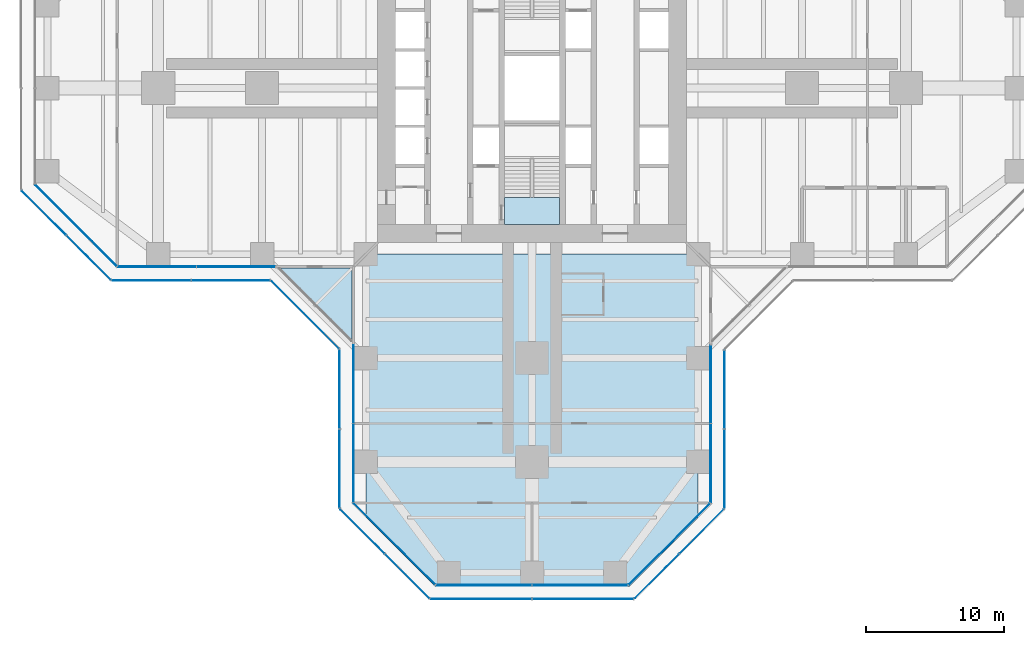
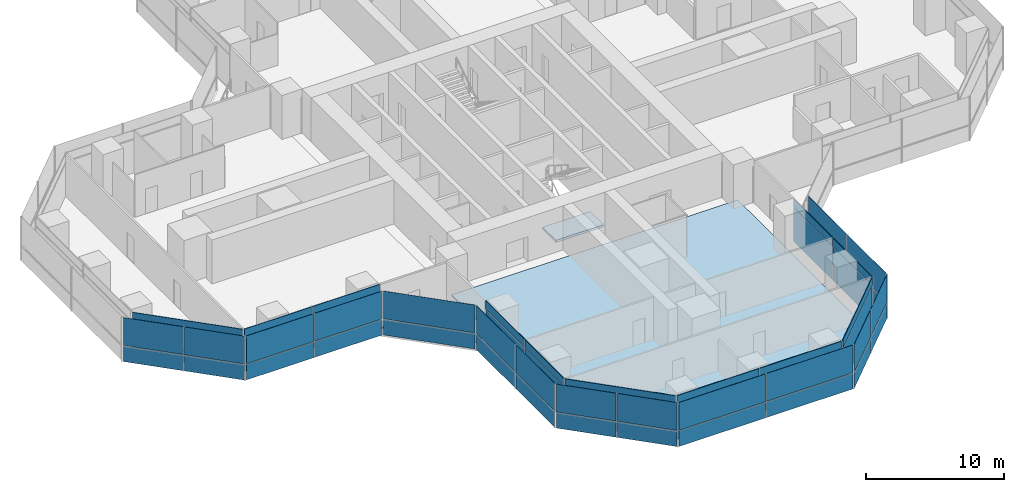
# One storey, part 14 of 22: 52 plates, 3 slabs, 16 elements without a shape of their own.
"""IFC4 building model written with IfcOpenShell, lengths in metres."""

from ifc_helpers import new_model, si_unit, direction, frame, origin, origin_2d, place, context, subcontext, project, spatial, polyline, rectangle, outline, extrude, material, layer, layer_set, type_object, element, aggregate, save


model = new_model("IFC4")

# Units and contexts
model_context = context("Model", 3, precision=1e-05, world=origin(), true_north=direction((0.0, 1.0)))
body_context = subcontext(model_context, "Body", "Model", "MODEL_VIEW")
ifc_project = project(units=[si_unit("LENGTHUNIT", "METRE"), si_unit("AREAUNIT", "SQUARE_METRE"), si_unit("VOLUMEUNIT", "CUBIC_METRE"), si_unit("PLANEANGLEUNIT", "RADIAN"), si_unit("MASSUNIT", "GRAM", prefix="KILO")], contexts=[model_context])

# Site, building, storey
site_placement = place(None, origin())
site = spatial("IfcSite", under=ifc_project, at=site_placement, CompositionType="ELEMENT")
building_placement = place(site_placement, origin())
building = spatial("IfcBuilding", under=site, at=building_placement, Name="Mizan Broadcast Tower", CompositionType="ELEMENT")
storey_placement = place(building_placement, frame((0.0, 0.0, 86.39990234375)))
storey = spatial("IfcBuildingStorey", under=building, at=storey_placement, Name="L18", CompositionType="ELEMENT", Elevation=86.39990234375)

# Slab
ifc_material_1 = material(Name="Concrete C32/40", Category="concrete")
ifc_layer_1 = layer(ifc_material_1, 0.1298828125)
ifc_layer_set_1 = layer_set([ifc_layer_1], Name="Concrete C32/40")
slab_type_1 = type_object("IfcSlabType", Name="COMPOSITE DECK SLAB 130", PredefinedType="FLOOR", material=ifc_layer_set_1)
slab_1_placement = place(storey_placement, frame((0.0, 0.0, -0.1298828125)))
element("IfcSlab", 1, at=slab_1_placement, inside=storey, type_object=slab_type_1, Name="Floor slab L18 south arm", PredefinedType="FLOOR", context=body_context, shape_type="SweptSolid", body=[
    extrude(outline(polyline([(7.0, -36.0), (12.0, -31.0), (12.0, -12.0), (-12.0, -12.0), (-12.0, -31.0), (-7.0, -36.0), (7.0, -36.0)])), origin(), (0.0, 0.0, 1.0), 0.1298828125),
])

# Curtain wall, plate
ifc_material_2 = material(Name="Aluminium framed glazing", Category="aluminium")
curtain_wall_type_1 = type_object("IfcCurtainWallType", Name="INNER SKIN LOW ZONE", PredefinedType="USERDEFINED", material=ifc_material_2)
curtain_wall_1_placement = place(storey_placement, origin())
curtain_wall_1 = element("IfcCurtainWall", 2, at=curtain_wall_1_placement, inside=storey, type_object=curtain_wall_type_1, Name="Inner skin low zone L18 W chamfer", ObjectType="INNER SKIN LOW ZONE", PredefinedType="USERDEFINED")
ifc_material_3 = material(Name="Double glazing, clear low-e", Category="glass")
ifc_layer_2 = layer(ifc_material_3, 0.028076171875)
ifc_layer_set_2 = layer_set([ifc_layer_2], Name="Double glazing, clear low-e")
plate_type_1 = type_object("IfcPlateType", Name="INNER SKIN GLAZING UNIT", PredefinedType="CURTAIN_PANEL", material=ifc_layer_set_2)
plate_1_placement = place(storey_placement, frame((-32.92919921875, -9.92919921875, 0.0), z_axis=(0.0, 0.0, 1.0), x_axis=(0.707106781187, -0.707106781187, 0.0)))
plate_1 = element("IfcPlate", 3, at=plate_1_placement, type_object=plate_type_1, Name="Inner skin low zone L18 W chamfer panel 1.1", PredefinedType="CURTAIN_PANEL", context=body_context, shape_type="SweptSolid", body=[
    extrude(rectangle(XDim=8.282470703125, YDim=0.028076171875, at=origin_2d()), origin(), (0.0, 0.0, 1.0), 3.0),
])

# Curtain wall, plates
curtain_wall_2_placement = place(storey_placement, origin())
curtain_wall_2 = element("IfcCurtainWall", 4, at=curtain_wall_2_placement, inside=storey, type_object=curtain_wall_type_1, Name="Inner skin low zone L18 W side", ObjectType="INNER SKIN LOW ZONE", PredefinedType="USERDEFINED")
plate_2_placement = place(storey_placement, frame((-27.078857421875, -12.89990234375, 0.0), z_axis=(0.0, 0.0, 1.0), x_axis=(1.0, 0.0, 0.0)))
plate_2 = element("IfcPlate", 5, at=plate_2_placement, type_object=plate_type_1, Name="Inner skin low zone L18 W side panel 1.1", PredefinedType="CURTAIN_PANEL", context=body_context, shape_type="SweptSolid", body=[
    extrude(rectangle(XDim=5.639404296875, YDim=0.028076171875, at=origin_2d()), origin(), (0.0, 0.0, 1.0), 3.0),
])
plate_3_placement = place(storey_placement, frame((-21.379638671875, -12.89990234375, 0.0), z_axis=(0.0, 0.0, 1.0), x_axis=(1.0, 0.0, 0.0)))
plate_3 = element("IfcPlate", 6, at=plate_3_placement, type_object=plate_type_1, Name="Inner skin low zone L18 W side panel 2.1", PredefinedType="CURTAIN_PANEL", context=body_context, shape_type="SweptSolid", body=[
    extrude(rectangle(XDim=5.639404296875, YDim=0.028076171875, at=origin_2d()), origin(), (0.0, 0.0, 1.0), 3.0),
])

curtain_wall_3_placement = place(storey_placement, origin())
curtain_wall_3 = element("IfcCurtainWall", 7, at=curtain_wall_3_placement, inside=storey, type_object=curtain_wall_type_1, Name="Inner skin low zone L18 S side", ObjectType="INNER SKIN LOW ZONE", PredefinedType="USERDEFINED")
plate_4_placement = place(storey_placement, frame((-12.89990234375, -21.379638671875, 0.0), z_axis=(0.0, 0.0, 1.0), x_axis=(0.0, -1.0, 0.0)))
plate_4 = element("IfcPlate", 8, at=plate_4_placement, type_object=plate_type_1, Name="Inner skin low zone L18 S side panel 1.1", PredefinedType="CURTAIN_PANEL", context=body_context, shape_type="SweptSolid", body=[
    extrude(rectangle(XDim=5.639404296875, YDim=0.028076171875, at=origin_2d()), origin(), (0.0, 0.0, 1.0), 3.0),
])
plate_5_placement = place(storey_placement, frame((-12.89990234375, -27.078857421875, 0.0), z_axis=(0.0, 0.0, 1.0), x_axis=(0.0, -1.0, 0.0)))
plate_5 = element("IfcPlate", 9, at=plate_5_placement, type_object=plate_type_1, Name="Inner skin low zone L18 S side panel 2.1", PredefinedType="CURTAIN_PANEL", context=body_context, shape_type="SweptSolid", body=[
    extrude(rectangle(XDim=5.639404296875, YDim=0.028076171875, at=origin_2d()), origin(), (0.0, 0.0, 1.0), 3.0),
])

# Curtain wall, plate
curtain_wall_4_placement = place(storey_placement, origin())
curtain_wall_4 = element("IfcCurtainWall", 10, at=curtain_wall_4_placement, inside=storey, type_object=curtain_wall_type_1, Name="Inner skin low zone L18 S chamfer", ObjectType="INNER SKIN LOW ZONE", PredefinedType="USERDEFINED")
plate_6_placement = place(storey_placement, frame((-9.92919921875, -32.92919921875, 0.0), z_axis=(0.0, 0.0, 1.0), x_axis=(0.707106781187, -0.707106781187, 0.0)))
plate_6 = element("IfcPlate", 11, at=plate_6_placement, type_object=plate_type_1, Name="Inner skin low zone L18 S chamfer panel 1.1", PredefinedType="CURTAIN_PANEL", context=body_context, shape_type="SweptSolid", body=[
    extrude(rectangle(XDim=8.282470703125, YDim=0.028076171875, at=origin_2d()), origin(), (0.0, 0.0, 1.0), 3.0),
])

# Curtain wall, plates
curtain_wall_5_placement = place(storey_placement, origin())
curtain_wall_5 = element("IfcCurtainWall", 12, at=curtain_wall_5_placement, inside=storey, type_object=curtain_wall_type_1, Name="Inner skin low zone L18 S end", ObjectType="INNER SKIN LOW ZONE", PredefinedType="USERDEFINED")
plate_7_placement = place(storey_placement, frame((-3.46435546875, -35.89990234375, 0.0), z_axis=(0.0, 0.0, 1.0), x_axis=(1.0, 0.0, 0.0)))
plate_7 = element("IfcPlate", 13, at=plate_7_placement, type_object=plate_type_1, Name="Inner skin low zone L18 S end panel 1.1", PredefinedType="CURTAIN_PANEL", context=body_context, shape_type="SweptSolid", body=[
    extrude(rectangle(XDim=6.86865234375, YDim=0.028076171875, at=origin_2d()), origin(), (0.0, 0.0, 1.0), 3.0),
])
plate_8_placement = place(storey_placement, frame((3.46435546875, -35.89990234375, 0.0), z_axis=(0.0, 0.0, 1.0), x_axis=(1.0, 0.0, 0.0)))
plate_8 = element("IfcPlate", 14, at=plate_8_placement, type_object=plate_type_1, Name="Inner skin low zone L18 S end panel 2.1", PredefinedType="CURTAIN_PANEL", context=body_context, shape_type="SweptSolid", body=[
    extrude(rectangle(XDim=6.86865234375, YDim=0.028076171875, at=origin_2d()), origin(), (0.0, 0.0, 1.0), 3.0),
])

# Curtain wall, plate
curtain_wall_6_placement = place(storey_placement, origin())
curtain_wall_6 = element("IfcCurtainWall", 15, at=curtain_wall_6_placement, inside=storey, type_object=curtain_wall_type_1, Name="Inner skin low zone L18 S chamfer", ObjectType="INNER SKIN LOW ZONE", PredefinedType="USERDEFINED")
plate_9_placement = place(storey_placement, frame((9.92919921875, -32.92919921875, 0.0), z_axis=(0.0, 0.0, 1.0), x_axis=(0.707106781187, 0.707106781187, 0.0)))
plate_9 = element("IfcPlate", 16, at=plate_9_placement, type_object=plate_type_1, Name="Inner skin low zone L18 S chamfer panel 1.1", PredefinedType="CURTAIN_PANEL", context=body_context, shape_type="SweptSolid", body=[
    extrude(rectangle(XDim=8.282470703125, YDim=0.028076171875, at=origin_2d()), origin(), (0.0, 0.0, 1.0), 3.0),
])

# Curtain wall, plates
curtain_wall_7_placement = place(storey_placement, origin())
curtain_wall_7 = element("IfcCurtainWall", 17, at=curtain_wall_7_placement, inside=storey, type_object=curtain_wall_type_1, Name="Inner skin low zone L18 S side", ObjectType="INNER SKIN LOW ZONE", PredefinedType="USERDEFINED")
plate_10_placement = place(storey_placement, frame((12.89990234375, -27.078857421875, 0.0), z_axis=(0.0, 0.0, 1.0), x_axis=(0.0, 1.0, 0.0)))
plate_10 = element("IfcPlate", 18, at=plate_10_placement, type_object=plate_type_1, Name="Inner skin low zone L18 S side panel 1.1", PredefinedType="CURTAIN_PANEL", context=body_context, shape_type="SweptSolid", body=[
    extrude(rectangle(XDim=5.639404296875, YDim=0.028076171875, at=origin_2d()), origin(), (0.0, 0.0, 1.0), 3.0),
])
plate_11_placement = place(storey_placement, frame((12.89990234375, -21.379638671875, 0.0), z_axis=(0.0, 0.0, 1.0), x_axis=(0.0, 1.0, 0.0)))
plate_11 = element("IfcPlate", 19, at=plate_11_placement, type_object=plate_type_1, Name="Inner skin low zone L18 S side panel 2.1", PredefinedType="CURTAIN_PANEL", context=body_context, shape_type="SweptSolid", body=[
    extrude(rectangle(XDim=5.639404296875, YDim=0.028076171875, at=origin_2d()), origin(), (0.0, 0.0, 1.0), 3.0),
])

# Plate
ifc_material_4 = material(Name="Insulated aluminium spandrel panel, pale anodised", Category="aluminium")
ifc_layer_3 = layer(ifc_material_4, 0.050048828125)
ifc_layer_set_3 = layer_set([ifc_layer_3], Name="Insulated aluminium spandrel panel, pale anodised")
plate_type_2 = type_object("IfcPlateType", Name="INNER SKIN SPANDREL PANEL", PredefinedType="CURTAIN_PANEL", material=ifc_layer_set_3)
plate_12_placement = place(storey_placement, frame((-32.92919921875, -9.92919921875, 3.06005859375), z_axis=(0.0, 0.0, 1.0), x_axis=(0.707106781187, -0.707106781187, 0.0)))
plate_12 = element("IfcPlate", 20, at=plate_12_placement, type_object=plate_type_2, Name="Inner skin low zone L18 W chamfer panel 1.2", PredefinedType="CURTAIN_PANEL", context=body_context, shape_type="SweptSolid", body=[
    extrude(rectangle(XDim=8.282470703125, YDim=0.050048828125, at=origin_2d()), origin(), (0.0, 0.0, 1.0), 0.7099609375),
])

aggregate(curtain_wall_1, [plate_1, plate_12])

plate_13_placement = place(storey_placement, frame((-27.078857421875, -12.89990234375, 3.06005859375), z_axis=(0.0, 0.0, 1.0), x_axis=(1.0, 0.0, 0.0)))
plate_13 = element("IfcPlate", 21, at=plate_13_placement, type_object=plate_type_2, Name="Inner skin low zone L18 W side panel 1.2", PredefinedType="CURTAIN_PANEL", context=body_context, shape_type="SweptSolid", body=[
    extrude(rectangle(XDim=5.639404296875, YDim=0.050048828125, at=origin_2d()), origin(), (0.0, 0.0, 1.0), 0.7099609375),
])

plate_14_placement = place(storey_placement, frame((-21.379638671875, -12.89990234375, 3.06005859375), z_axis=(0.0, 0.0, 1.0), x_axis=(1.0, 0.0, 0.0)))
plate_14 = element("IfcPlate", 22, at=plate_14_placement, type_object=plate_type_2, Name="Inner skin low zone L18 W side panel 2.2", PredefinedType="CURTAIN_PANEL", context=body_context, shape_type="SweptSolid", body=[
    extrude(rectangle(XDim=5.639404296875, YDim=0.050048828125, at=origin_2d()), origin(), (0.0, 0.0, 1.0), 0.7099609375),
])

aggregate(curtain_wall_2, [plate_2, plate_13, plate_3, plate_14])

plate_15_placement = place(storey_placement, frame((-12.89990234375, -21.379638671875, 3.06005859375), z_axis=(0.0, 0.0, 1.0), x_axis=(0.0, -1.0, 0.0)))
plate_15 = element("IfcPlate", 23, at=plate_15_placement, type_object=plate_type_2, Name="Inner skin low zone L18 S side panel 1.2", PredefinedType="CURTAIN_PANEL", context=body_context, shape_type="SweptSolid", body=[
    extrude(rectangle(XDim=5.639404296875, YDim=0.050048828125, at=origin_2d()), origin(), (0.0, 0.0, 1.0), 0.7099609375),
])

plate_16_placement = place(storey_placement, frame((-12.89990234375, -27.078857421875, 3.06005859375), z_axis=(0.0, 0.0, 1.0), x_axis=(0.0, -1.0, 0.0)))
plate_16 = element("IfcPlate", 24, at=plate_16_placement, type_object=plate_type_2, Name="Inner skin low zone L18 S side panel 2.2", PredefinedType="CURTAIN_PANEL", context=body_context, shape_type="SweptSolid", body=[
    extrude(rectangle(XDim=5.639404296875, YDim=0.050048828125, at=origin_2d()), origin(), (0.0, 0.0, 1.0), 0.7099609375),
])

aggregate(curtain_wall_3, [plate_4, plate_15, plate_5, plate_16])

plate_17_placement = place(storey_placement, frame((-9.92919921875, -32.92919921875, 3.06005859375), z_axis=(0.0, 0.0, 1.0), x_axis=(0.707106781187, -0.707106781187, 0.0)))
plate_17 = element("IfcPlate", 25, at=plate_17_placement, type_object=plate_type_2, Name="Inner skin low zone L18 S chamfer panel 1.2", PredefinedType="CURTAIN_PANEL", context=body_context, shape_type="SweptSolid", body=[
    extrude(rectangle(XDim=8.282470703125, YDim=0.050048828125, at=origin_2d()), origin(), (0.0, 0.0, 1.0), 0.7099609375),
])

aggregate(curtain_wall_4, [plate_6, plate_17])

plate_18_placement = place(storey_placement, frame((-3.46435546875, -35.89990234375, 3.06005859375), z_axis=(0.0, 0.0, 1.0), x_axis=(1.0, 0.0, 0.0)))
plate_18 = element("IfcPlate", 26, at=plate_18_placement, type_object=plate_type_2, Name="Inner skin low zone L18 S end panel 1.2", PredefinedType="CURTAIN_PANEL", context=body_context, shape_type="SweptSolid", body=[
    extrude(rectangle(XDim=6.86865234375, YDim=0.050048828125, at=origin_2d()), origin(), (0.0, 0.0, 1.0), 0.7099609375),
])

plate_19_placement = place(storey_placement, frame((3.46435546875, -35.89990234375, 3.06005859375), z_axis=(0.0, 0.0, 1.0), x_axis=(1.0, 0.0, 0.0)))
plate_19 = element("IfcPlate", 27, at=plate_19_placement, type_object=plate_type_2, Name="Inner skin low zone L18 S end panel 2.2", PredefinedType="CURTAIN_PANEL", context=body_context, shape_type="SweptSolid", body=[
    extrude(rectangle(XDim=6.86865234375, YDim=0.050048828125, at=origin_2d()), origin(), (0.0, 0.0, 1.0), 0.7099609375),
])

aggregate(curtain_wall_5, [plate_7, plate_18, plate_8, plate_19])

plate_20_placement = place(storey_placement, frame((9.92919921875, -32.92919921875, 3.06005859375), z_axis=(0.0, 0.0, 1.0), x_axis=(0.707106781187, 0.707106781187, 0.0)))
plate_20 = element("IfcPlate", 28, at=plate_20_placement, type_object=plate_type_2, Name="Inner skin low zone L18 S chamfer panel 1.2", PredefinedType="CURTAIN_PANEL", context=body_context, shape_type="SweptSolid", body=[
    extrude(rectangle(XDim=8.282470703125, YDim=0.050048828125, at=origin_2d()), origin(), (0.0, 0.0, 1.0), 0.7099609375),
])

aggregate(curtain_wall_6, [plate_9, plate_20])

plate_21_placement = place(storey_placement, frame((12.89990234375, -27.078857421875, 3.06005859375), z_axis=(0.0, 0.0, 1.0), x_axis=(0.0, 1.0, 0.0)))
plate_21 = element("IfcPlate", 29, at=plate_21_placement, type_object=plate_type_2, Name="Inner skin low zone L18 S side panel 1.2", PredefinedType="CURTAIN_PANEL", context=body_context, shape_type="SweptSolid", body=[
    extrude(rectangle(XDim=5.639404296875, YDim=0.050048828125, at=origin_2d()), origin(), (0.0, 0.0, 1.0), 0.7099609375),
])

plate_22_placement = place(storey_placement, frame((12.89990234375, -21.379638671875, 3.06005859375), z_axis=(0.0, 0.0, 1.0), x_axis=(0.0, 1.0, 0.0)))
plate_22 = element("IfcPlate", 30, at=plate_22_placement, type_object=plate_type_2, Name="Inner skin low zone L18 S side panel 2.2", PredefinedType="CURTAIN_PANEL", context=body_context, shape_type="SweptSolid", body=[
    extrude(rectangle(XDim=5.639404296875, YDim=0.050048828125, at=origin_2d()), origin(), (0.0, 0.0, 1.0), 0.7099609375),
])

aggregate(curtain_wall_7, [plate_10, plate_21, plate_11, plate_22])

# Curtain wall, plates
ifc_material_5 = material(Name="Aluminium framed glazing", Category="aluminium")
curtain_wall_type_2 = type_object("IfcCurtainWallType", Name="OUTER SKIN", PredefinedType="USERDEFINED", material=ifc_material_5)
curtain_wall_8_placement = place(storey_placement, origin())
curtain_wall_8 = element("IfcCurtainWall", 31, at=curtain_wall_8_placement, inside=storey, type_object=curtain_wall_type_2, Name="Outer skin L18 W chamfer", ObjectType="OUTER SKIN", PredefinedType="USERDEFINED")
ifc_material_6 = material(Name="Laminated clear glass", Category="glass")
ifc_layer_4 = layer(ifc_material_6, 0.02001953125)
ifc_layer_set_4 = layer_set([ifc_layer_4], Name="Laminated clear glass")
plate_type_3 = type_object("IfcPlateType", Name="OUTER SKIN CLEAR GLASS", PredefinedType="CURTAIN_PANEL", material=ifc_layer_set_4)
plate_23_placement = place(storey_placement, frame((-35.254150390625, -9.018798828125, 0.0), z_axis=(0.0, 0.0, 1.0), x_axis=(0.707106781187, -0.707106781187, 0.0)))
plate_23 = element("IfcPlate", 32, at=plate_23_placement, type_object=plate_type_3, Name="Outer skin L18 W chamfer panel 1.1", PredefinedType="CURTAIN_PANEL", context=body_context, shape_type="SweptSolid", body=[
    extrude(rectangle(XDim=4.495361328125, YDim=0.02001953125, at=origin_2d()), origin(), (0.0, 0.0, 1.0), 1.3701171875),
])
plate_24_placement = place(storey_placement, frame((-35.254150390625, -9.018798828125, 1.43017578125), z_axis=(0.0, 0.0, 1.0), x_axis=(0.707106781187, -0.707106781187, 0.0)))
plate_24 = element("IfcPlate", 33, at=plate_24_placement, type_object=plate_type_3, Name="Outer skin L18 W chamfer panel 1.2", PredefinedType="CURTAIN_PANEL", context=body_context, shape_type="SweptSolid", body=[
    extrude(rectangle(XDim=4.495361328125, YDim=0.02001953125, at=origin_2d()), origin(), (0.0, 0.0, 1.0), 2.469970703125),
])

curtain_wall_9_placement = place(storey_placement, origin())
curtain_wall_9 = element("IfcCurtainWall", 34, at=curtain_wall_9_placement, inside=storey, type_object=curtain_wall_type_2, Name="Outer skin L18 W side", ObjectType="OUTER SKIN", PredefinedType="USERDEFINED")
plate_25_placement = place(storey_placement, frame((-27.477783203125, -13.89990234375, 0.0), z_axis=(0.0, 0.0, 1.0), x_axis=(1.0, 0.0, 0.0)))
plate_25 = element("IfcPlate", 35, at=plate_25_placement, type_object=plate_type_3, Name="Outer skin L18 W side panel 1.1", PredefinedType="CURTAIN_PANEL", context=body_context, shape_type="SweptSolid", body=[
    extrude(rectangle(XDim=5.6298828125, YDim=0.02001953125, at=origin_2d()), origin(), (0.0, 0.0, 1.0), 1.3701171875),
])
plate_26_placement = place(storey_placement, frame((-27.477783203125, -13.89990234375, 1.43017578125), z_axis=(0.0, 0.0, 1.0), x_axis=(1.0, 0.0, 0.0)))
plate_26 = element("IfcPlate", 36, at=plate_26_placement, type_object=plate_type_3, Name="Outer skin L18 W side panel 1.2", PredefinedType="CURTAIN_PANEL", context=body_context, shape_type="SweptSolid", body=[
    extrude(rectangle(XDim=5.6298828125, YDim=0.02001953125, at=origin_2d()), origin(), (0.0, 0.0, 1.0), 2.469970703125),
])

curtain_wall_10_placement = place(storey_placement, origin())
curtain_wall_10 = element("IfcCurtainWall", 37, at=curtain_wall_10_placement, inside=storey, type_object=curtain_wall_type_2, Name="Outer skin L18 W chamfer", ObjectType="OUTER SKIN", PredefinedType="USERDEFINED")
plate_27_placement = place(storey_placement, frame((-16.386474609375, -16.386474609375, 0.0), z_axis=(0.0, 0.0, 1.0), x_axis=(0.707106781187, -0.707106781187, 0.0)))
plate_27 = element("IfcPlate", 38, at=plate_27_placement, type_object=plate_type_3, Name="Outer skin L18 W chamfer panel 1.1", PredefinedType="CURTAIN_PANEL", context=body_context, shape_type="SweptSolid", body=[
    extrude(rectangle(XDim=6.87255859375, YDim=0.02001953125, at=origin_2d()), origin(), (0.0, 0.0, 1.0), 1.3701171875),
])
plate_28_placement = place(storey_placement, frame((-16.386474609375, -16.386474609375, 1.43017578125), z_axis=(0.0, 0.0, 1.0), x_axis=(0.707106781187, -0.707106781187, 0.0)))
plate_28 = element("IfcPlate", 39, at=plate_28_placement, type_object=plate_type_3, Name="Outer skin L18 W chamfer panel 1.2", PredefinedType="CURTAIN_PANEL", context=body_context, shape_type="SweptSolid", body=[
    extrude(rectangle(XDim=6.87255859375, YDim=0.02001953125, at=origin_2d()), origin(), (0.0, 0.0, 1.0), 2.469970703125),
])
aggregate(curtain_wall_10, [plate_27, plate_28])

curtain_wall_11_placement = place(storey_placement, origin())
curtain_wall_11 = element("IfcCurtainWall", 40, at=curtain_wall_11_placement, inside=storey, type_object=curtain_wall_type_2, Name="Outer skin L18 S side", ObjectType="OUTER SKIN", PredefinedType="USERDEFINED")
plate_29_placement = place(storey_placement, frame((-13.89990234375, -21.767822265625, 0.0), z_axis=(0.0, 0.0, 1.0), x_axis=(0.0, -1.0, 0.0)))
plate_29 = element("IfcPlate", 41, at=plate_29_placement, type_object=plate_type_3, Name="Outer skin L18 S side panel 1.1", PredefinedType="CURTAIN_PANEL", context=body_context, shape_type="SweptSolid", body=[
    extrude(rectangle(XDim=5.6298828125, YDim=0.02001953125, at=origin_2d()), origin(), (0.0, 0.0, 1.0), 1.3701171875),
])
plate_30_placement = place(storey_placement, frame((-13.89990234375, -21.767822265625, 1.43017578125), z_axis=(0.0, 0.0, 1.0), x_axis=(0.0, -1.0, 0.0)))
plate_30 = element("IfcPlate", 42, at=plate_30_placement, type_object=plate_type_3, Name="Outer skin L18 S side panel 1.2", PredefinedType="CURTAIN_PANEL", context=body_context, shape_type="SweptSolid", body=[
    extrude(rectangle(XDim=5.6298828125, YDim=0.02001953125, at=origin_2d()), origin(), (0.0, 0.0, 1.0), 2.469970703125),
])

curtain_wall_12_placement = place(storey_placement, origin())
curtain_wall_12 = element("IfcCurtainWall", 43, at=curtain_wall_12_placement, inside=storey, type_object=curtain_wall_type_2, Name="Outer skin L18 S chamfer", ObjectType="OUTER SKIN", PredefinedType="USERDEFINED")
plate_31_placement = place(storey_placement, frame((-12.254150390625, -32.018798828125, 0.0), z_axis=(0.0, 0.0, 1.0), x_axis=(0.707106781187, -0.707106781187, 0.0)))
plate_31 = element("IfcPlate", 44, at=plate_31_placement, type_object=plate_type_3, Name="Outer skin L18 S chamfer panel 1.1", PredefinedType="CURTAIN_PANEL", context=body_context, shape_type="SweptSolid", body=[
    extrude(rectangle(XDim=4.495361328125, YDim=0.02001953125, at=origin_2d()), origin(), (0.0, 0.0, 1.0), 1.3701171875),
])
plate_32_placement = place(storey_placement, frame((-12.254150390625, -32.018798828125, 1.43017578125), z_axis=(0.0, 0.0, 1.0), x_axis=(0.707106781187, -0.707106781187, 0.0)))
plate_32 = element("IfcPlate", 45, at=plate_32_placement, type_object=plate_type_3, Name="Outer skin L18 S chamfer panel 1.2", PredefinedType="CURTAIN_PANEL", context=body_context, shape_type="SweptSolid", body=[
    extrude(rectangle(XDim=4.495361328125, YDim=0.02001953125, at=origin_2d()), origin(), (0.0, 0.0, 1.0), 2.469970703125),
])

curtain_wall_13_placement = place(storey_placement, origin())
curtain_wall_13 = element("IfcCurtainWall", 46, at=curtain_wall_13_placement, inside=storey, type_object=curtain_wall_type_2, Name="Outer skin L18 S end", ObjectType="OUTER SKIN", PredefinedType="USERDEFINED")
plate_33_placement = place(storey_placement, frame((-3.66650390625, -36.89990234375, 0.0), z_axis=(0.0, 0.0, 1.0), x_axis=(1.0, 0.0, 0.0)))
plate_33 = element("IfcPlate", 47, at=plate_33_placement, type_object=plate_type_3, Name="Outer skin L18 S end panel 1.1", PredefinedType="CURTAIN_PANEL", context=body_context, shape_type="SweptSolid", body=[
    extrude(rectangle(XDim=7.252685546875, YDim=0.02001953125, at=origin_2d()), origin(), (0.0, 0.0, 1.0), 1.3701171875),
])
plate_34_placement = place(storey_placement, frame((-3.66650390625, -36.89990234375, 1.43017578125), z_axis=(0.0, 0.0, 1.0), x_axis=(1.0, 0.0, 0.0)))
plate_34 = element("IfcPlate", 48, at=plate_34_placement, type_object=plate_type_3, Name="Outer skin L18 S end panel 1.2", PredefinedType="CURTAIN_PANEL", context=body_context, shape_type="SweptSolid", body=[
    extrude(rectangle(XDim=7.252685546875, YDim=0.02001953125, at=origin_2d()), origin(), (0.0, 0.0, 1.0), 2.469970703125),
])

curtain_wall_14_placement = place(storey_placement, origin())
curtain_wall_14 = element("IfcCurtainWall", 49, at=curtain_wall_14_placement, inside=storey, type_object=curtain_wall_type_2, Name="Outer skin L18 S chamfer", ObjectType="OUTER SKIN", PredefinedType="USERDEFINED")
plate_35_placement = place(storey_placement, frame((9.018798828125, -35.254150390625, 0.0), z_axis=(0.0, 0.0, 1.0), x_axis=(0.707106781187, 0.707106781187, 0.0)))
plate_35 = element("IfcPlate", 50, at=plate_35_placement, type_object=plate_type_3, Name="Outer skin L18 S chamfer panel 1.1", PredefinedType="CURTAIN_PANEL", context=body_context, shape_type="SweptSolid", body=[
    extrude(rectangle(XDim=4.495361328125, YDim=0.02001953125, at=origin_2d()), origin(), (0.0, 0.0, 1.0), 1.3701171875),
])
plate_36_placement = place(storey_placement, frame((9.018798828125, -35.254150390625, 1.43017578125), z_axis=(0.0, 0.0, 1.0), x_axis=(0.707106781187, 0.707106781187, 0.0)))
plate_36 = element("IfcPlate", 51, at=plate_36_placement, type_object=plate_type_3, Name="Outer skin L18 S chamfer panel 1.2", PredefinedType="CURTAIN_PANEL", context=body_context, shape_type="SweptSolid", body=[
    extrude(rectangle(XDim=4.495361328125, YDim=0.02001953125, at=origin_2d()), origin(), (0.0, 0.0, 1.0), 2.469970703125),
])

curtain_wall_15_placement = place(storey_placement, origin())
curtain_wall_15 = element("IfcCurtainWall", 52, at=curtain_wall_15_placement, inside=storey, type_object=curtain_wall_type_2, Name="Outer skin L18 S side", ObjectType="OUTER SKIN", PredefinedType="USERDEFINED")
plate_37_placement = place(storey_placement, frame((13.89990234375, -27.477783203125, 0.0), z_axis=(0.0, 0.0, 1.0), x_axis=(0.0, 1.0, 0.0)))
plate_37 = element("IfcPlate", 53, at=plate_37_placement, type_object=plate_type_3, Name="Outer skin L18 S side panel 1.1", PredefinedType="CURTAIN_PANEL", context=body_context, shape_type="SweptSolid", body=[
    extrude(rectangle(XDim=5.6298828125, YDim=0.02001953125, at=origin_2d()), origin(), (0.0, 0.0, 1.0), 1.3701171875),
])
plate_38_placement = place(storey_placement, frame((13.89990234375, -27.477783203125, 1.43017578125), z_axis=(0.0, 0.0, 1.0), x_axis=(0.0, 1.0, 0.0)))
plate_38 = element("IfcPlate", 54, at=plate_38_placement, type_object=plate_type_3, Name="Outer skin L18 S side panel 1.2", PredefinedType="CURTAIN_PANEL", context=body_context, shape_type="SweptSolid", body=[
    extrude(rectangle(XDim=5.6298828125, YDim=0.02001953125, at=origin_2d()), origin(), (0.0, 0.0, 1.0), 2.469970703125),
])

# Plate
ifc_material_7 = material(Name="Perforated aluminium, pale anodised", Category="aluminium")
ifc_layer_5 = layer(ifc_material_7, 0.011962890625)
ifc_layer_set_5 = layer_set([ifc_layer_5], Name="Perforated aluminium, pale anodised")
plate_type_4 = type_object("IfcPlateType", Name="OUTER SKIN PERFORATED SCREEN", PredefinedType="USERDEFINED", material=ifc_layer_set_5)
plate_39_placement = place(storey_placement, frame((-32.018798828125, -12.254150390625, 0.0), z_axis=(0.0, 0.0, 1.0), x_axis=(0.707106781187, -0.707106781187, 0.0)))
plate_39 = element("IfcPlate", 55, at=plate_39_placement, type_object=plate_type_4, Name="Outer skin L18 W chamfer panel 2.1", ObjectType="SCREEN", PredefinedType="USERDEFINED", context=body_context, shape_type="SweptSolid", body=[
    extrude(rectangle(XDim=4.495361328125, YDim=0.011962890625, at=origin_2d()), origin(), (0.0, 0.0, 1.0), 1.3701171875),
])

plate_40_placement = place(storey_placement, frame((-32.018798828125, -12.254150390625, 1.43017578125), z_axis=(0.0, 0.0, 1.0), x_axis=(0.707106781187, -0.707106781187, 0.0)))
plate_40 = element("IfcPlate", 56, at=plate_40_placement, type_object=plate_type_4, Name="Outer skin L18 W chamfer panel 2.2", ObjectType="SCREEN", PredefinedType="USERDEFINED", context=body_context, shape_type="SweptSolid", body=[
    extrude(rectangle(XDim=4.495361328125, YDim=0.011962890625, at=origin_2d()), origin(), (0.0, 0.0, 1.0), 2.469970703125),
])

aggregate(curtain_wall_8, [plate_23, plate_24, plate_39, plate_40])

plate_41_placement = place(storey_placement, frame((-21.767822265625, -13.89990234375, 0.0), z_axis=(0.0, 0.0, 1.0), x_axis=(1.0, 0.0, 0.0)))
plate_41 = element("IfcPlate", 57, at=plate_41_placement, type_object=plate_type_4, Name="Outer skin L18 W side panel 2.1", ObjectType="SCREEN", PredefinedType="USERDEFINED", context=body_context, shape_type="SweptSolid", body=[
    extrude(rectangle(XDim=5.6298828125, YDim=0.011962890625, at=origin_2d()), origin(), (0.0, 0.0, 1.0), 1.3701171875),
])

plate_42_placement = place(storey_placement, frame((-21.767822265625, -13.89990234375, 1.43017578125), z_axis=(0.0, 0.0, 1.0), x_axis=(1.0, 0.0, 0.0)))
plate_42 = element("IfcPlate", 58, at=plate_42_placement, type_object=plate_type_4, Name="Outer skin L18 W side panel 2.2", ObjectType="SCREEN", PredefinedType="USERDEFINED", context=body_context, shape_type="SweptSolid", body=[
    extrude(rectangle(XDim=5.6298828125, YDim=0.011962890625, at=origin_2d()), origin(), (0.0, 0.0, 1.0), 2.469970703125),
])

aggregate(curtain_wall_9, [plate_25, plate_26, plate_41, plate_42])

plate_43_placement = place(storey_placement, frame((-13.89990234375, -27.477783203125, 0.0), z_axis=(0.0, 0.0, 1.0), x_axis=(0.0, -1.0, 0.0)))
plate_43 = element("IfcPlate", 59, at=plate_43_placement, type_object=plate_type_4, Name="Outer skin L18 S side panel 2.1", ObjectType="SCREEN", PredefinedType="USERDEFINED", context=body_context, shape_type="SweptSolid", body=[
    extrude(rectangle(XDim=5.6298828125, YDim=0.011962890625, at=origin_2d()), origin(), (0.0, 0.0, 1.0), 1.3701171875),
])

plate_44_placement = place(storey_placement, frame((-13.89990234375, -27.477783203125, 1.43017578125), z_axis=(0.0, 0.0, 1.0), x_axis=(0.0, -1.0, 0.0)))
plate_44 = element("IfcPlate", 60, at=plate_44_placement, type_object=plate_type_4, Name="Outer skin L18 S side panel 2.2", ObjectType="SCREEN", PredefinedType="USERDEFINED", context=body_context, shape_type="SweptSolid", body=[
    extrude(rectangle(XDim=5.6298828125, YDim=0.011962890625, at=origin_2d()), origin(), (0.0, 0.0, 1.0), 2.469970703125),
])

aggregate(curtain_wall_11, [plate_29, plate_30, plate_43, plate_44])

plate_45_placement = place(storey_placement, frame((-9.018798828125, -35.254150390625, 0.0), z_axis=(0.0, 0.0, 1.0), x_axis=(0.707106781187, -0.707106781187, 0.0)))
plate_45 = element("IfcPlate", 61, at=plate_45_placement, type_object=plate_type_4, Name="Outer skin L18 S chamfer panel 2.1", ObjectType="SCREEN", PredefinedType="USERDEFINED", context=body_context, shape_type="SweptSolid", body=[
    extrude(rectangle(XDim=4.495361328125, YDim=0.011962890625, at=origin_2d()), origin(), (0.0, 0.0, 1.0), 1.3701171875),
])

plate_46_placement = place(storey_placement, frame((-9.018798828125, -35.254150390625, 1.43017578125), z_axis=(0.0, 0.0, 1.0), x_axis=(0.707106781187, -0.707106781187, 0.0)))
plate_46 = element("IfcPlate", 62, at=plate_46_placement, type_object=plate_type_4, Name="Outer skin L18 S chamfer panel 2.2", ObjectType="SCREEN", PredefinedType="USERDEFINED", context=body_context, shape_type="SweptSolid", body=[
    extrude(rectangle(XDim=4.495361328125, YDim=0.011962890625, at=origin_2d()), origin(), (0.0, 0.0, 1.0), 2.469970703125),
])

aggregate(curtain_wall_12, [plate_31, plate_32, plate_45, plate_46])

plate_47_placement = place(storey_placement, frame((3.66650390625, -36.89990234375, 0.0), z_axis=(0.0, 0.0, 1.0), x_axis=(1.0, 0.0, 0.0)))
plate_47 = element("IfcPlate", 63, at=plate_47_placement, type_object=plate_type_4, Name="Outer skin L18 S end panel 2.1", ObjectType="SCREEN", PredefinedType="USERDEFINED", context=body_context, shape_type="SweptSolid", body=[
    extrude(rectangle(XDim=7.252685546875, YDim=0.011962890625, at=origin_2d()), origin(), (0.0, 0.0, 1.0), 1.3701171875),
])

plate_48_placement = place(storey_placement, frame((3.66650390625, -36.89990234375, 1.43017578125), z_axis=(0.0, 0.0, 1.0), x_axis=(1.0, 0.0, 0.0)))
plate_48 = element("IfcPlate", 64, at=plate_48_placement, type_object=plate_type_4, Name="Outer skin L18 S end panel 2.2", ObjectType="SCREEN", PredefinedType="USERDEFINED", context=body_context, shape_type="SweptSolid", body=[
    extrude(rectangle(XDim=7.252685546875, YDim=0.011962890625, at=origin_2d()), origin(), (0.0, 0.0, 1.0), 2.469970703125),
])

aggregate(curtain_wall_13, [plate_33, plate_34, plate_47, plate_48])

plate_49_placement = place(storey_placement, frame((12.254150390625, -32.018798828125, 0.0), z_axis=(0.0, 0.0, 1.0), x_axis=(0.707106781187, 0.707106781187, 0.0)))
plate_49 = element("IfcPlate", 65, at=plate_49_placement, type_object=plate_type_4, Name="Outer skin L18 S chamfer panel 2.1", ObjectType="SCREEN", PredefinedType="USERDEFINED", context=body_context, shape_type="SweptSolid", body=[
    extrude(rectangle(XDim=4.495361328125, YDim=0.011962890625, at=origin_2d()), origin(), (0.0, 0.0, 1.0), 1.3701171875),
])

plate_50_placement = place(storey_placement, frame((12.254150390625, -32.018798828125, 1.43017578125), z_axis=(0.0, 0.0, 1.0), x_axis=(0.707106781187, 0.707106781187, 0.0)))
plate_50 = element("IfcPlate", 66, at=plate_50_placement, type_object=plate_type_4, Name="Outer skin L18 S chamfer panel 2.2", ObjectType="SCREEN", PredefinedType="USERDEFINED", context=body_context, shape_type="SweptSolid", body=[
    extrude(rectangle(XDim=4.495361328125, YDim=0.011962890625, at=origin_2d()), origin(), (0.0, 0.0, 1.0), 2.469970703125),
])

aggregate(curtain_wall_14, [plate_35, plate_36, plate_49, plate_50])

plate_51_placement = place(storey_placement, frame((13.89990234375, -21.767822265625, 0.0), z_axis=(0.0, 0.0, 1.0), x_axis=(0.0, 1.0, 0.0)))
plate_51 = element("IfcPlate", 67, at=plate_51_placement, type_object=plate_type_4, Name="Outer skin L18 S side panel 2.1", ObjectType="SCREEN", PredefinedType="USERDEFINED", context=body_context, shape_type="SweptSolid", body=[
    extrude(rectangle(XDim=5.6298828125, YDim=0.011962890625, at=origin_2d()), origin(), (0.0, 0.0, 1.0), 1.3701171875),
])

plate_52_placement = place(storey_placement, frame((13.89990234375, -21.767822265625, 1.43017578125), z_axis=(0.0, 0.0, 1.0), x_axis=(0.0, 1.0, 0.0)))
plate_52 = element("IfcPlate", 68, at=plate_52_placement, type_object=plate_type_4, Name="Outer skin L18 S side panel 2.2", ObjectType="SCREEN", PredefinedType="USERDEFINED", context=body_context, shape_type="SweptSolid", body=[
    extrude(rectangle(XDim=5.6298828125, YDim=0.011962890625, at=origin_2d()), origin(), (0.0, 0.0, 1.0), 2.469970703125),
])

aggregate(curtain_wall_15, [plate_37, plate_38, plate_51, plate_52])

# Stair, slab
ifc_material_8 = material(Name="Concrete C40/50", Category="concrete")
stair_type = type_object("IfcStairType", Name="EXIT STAIR", PredefinedType="HALF_TURN_STAIR", material=ifc_material_8)
stair_placement = place(storey_placement, origin())
stair = element("IfcStair", 69, at=stair_placement, inside=storey, type_object=stair_type, Name="Stair A L18", PredefinedType="HALF_TURN_STAIR")
ifc_material_9 = material(Name="Concrete C40/50", Category="concrete")
ifc_layer_6 = layer(ifc_material_9, 0.199951171875)
ifc_layer_set_6 = layer_set([ifc_layer_6], Name="Concrete C40/50")
slab_type_2 = type_object("IfcSlabType", Name="STAIR LANDING 200", PredefinedType="LANDING", material=ifc_layer_set_6)
slab_2_placement = place(storey_placement, frame((0.0, 0.0, -0.199951171875)))
slab_2 = element("IfcSlab", 70, at=slab_2_placement, type_object=slab_type_2, Name="A landing 1", PredefinedType="LANDING", context=body_context, shape_type="SweptSolid", body=[
    extrude(outline(polyline([(-2.0, -9.85009765625), (-2.0, -7.89990234375), (2.0, -7.89990234375), (2.0, -9.85009765625), (-2.0, -9.85009765625)])), origin(), (0.0, 0.0, 1.0), 0.199951171875),
])
aggregate(stair, [slab_2])

# Slab
ifc_material_10 = material(Name="Concrete C32/40", Category="concrete")
ifc_layer_7 = layer(ifc_material_10, 0.1298828125)
ifc_layer_set_7 = layer_set([ifc_layer_7], Name="Concrete C32/40")
slab_type_3 = type_object("IfcSlabType", Name="WINTER GARDEN SLAB 130", PredefinedType="FLOOR", material=ifc_layer_set_7)
slab_3_placement = place(storey_placement, frame((0.0, 0.0, -0.1298828125)))
element("IfcSlab", 71, at=slab_3_placement, inside=storey, type_object=slab_type_3, Name="Winter garden slab L18 W", PredefinedType="FLOOR", context=body_context, shape_type="SweptSolid", body=[
    extrude(outline(polyline([(-13.0, -13.0), (-18.5, -13.0), (-13.0, -18.5), (-13.0, -13.0)])), origin(), (0.0, 0.0, 1.0), 0.1298828125),
])

save(model, "model.ifc")
